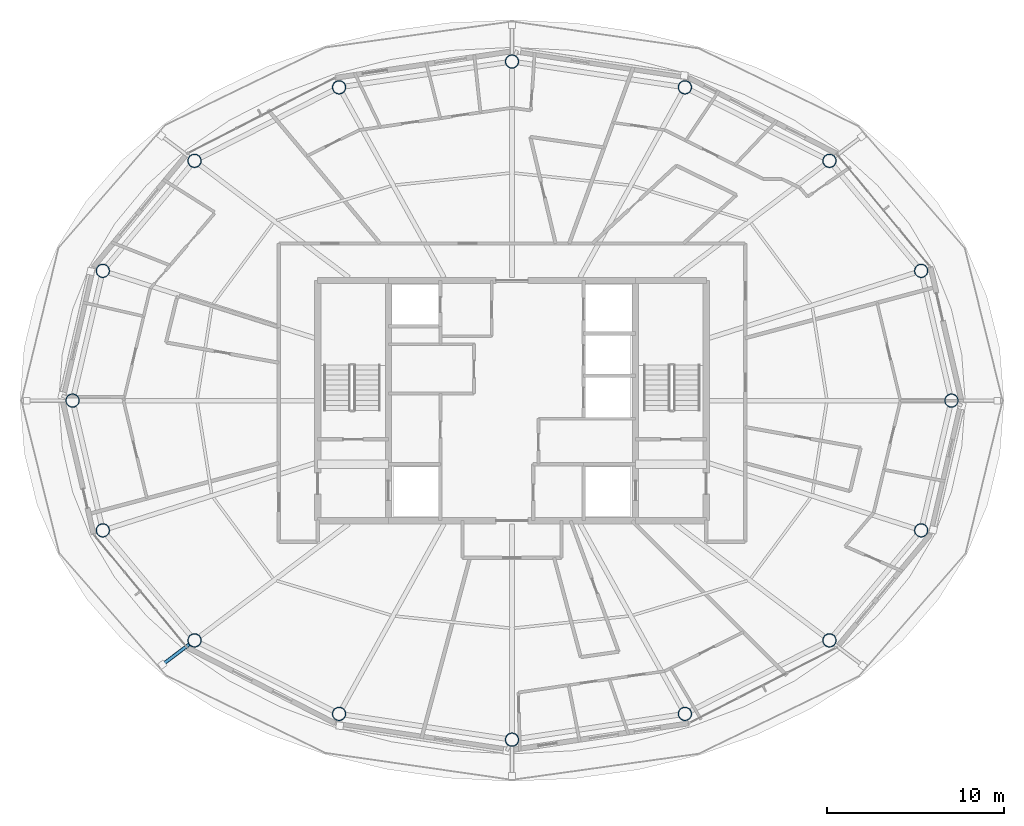
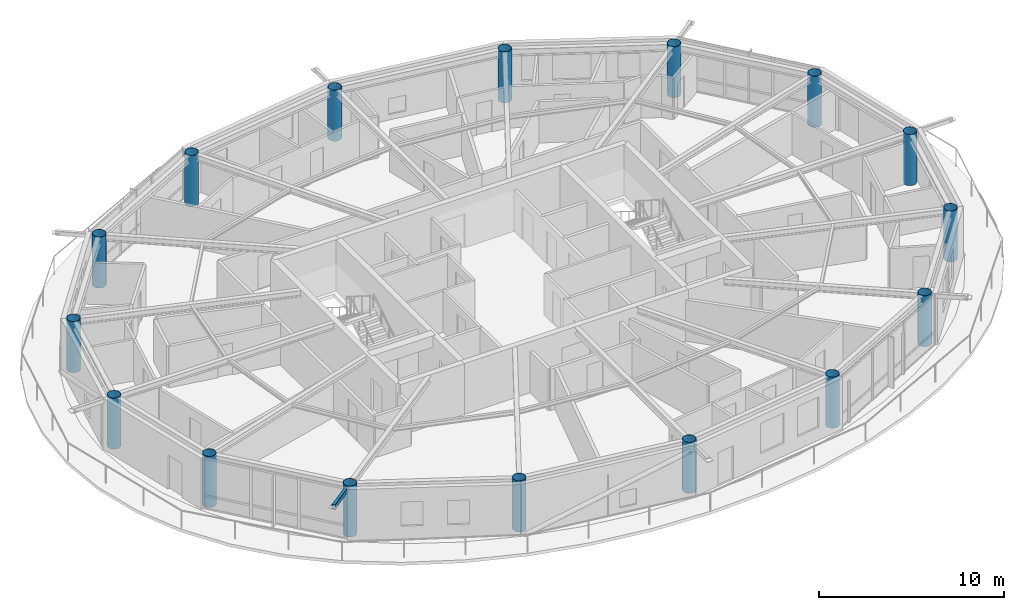
# One storey, part 1 of 23: 16 columns, 1 member.
"""IFC4 building model written with IfcOpenShell, lengths in metres."""

import ifcopenshell
import ifcopenshell.guid

model = None  # the IFC model being written
_history = None  # IfcOwnerHistory: only IFC2X3 demands one
_inside = {}  # id of a spatial element -> (the spatial element, [elements in it])
_under = {}  # id of a project, library or spatial element -> (it, [spatial elements below it])
_declared = {}  # id of a project -> (the project, [libraries it declares])
_typed = {}  # id of a type object -> (the type object, [elements of that type])
_made_of = {}  # id of a material, layer set ... -> (it, [elements and type objects made of it])


def new_model(schema):
    """Start an empty IFC model of exactly this schema.

    Asked for "IFC4X3", IfcOpenShell would pick the latest addendum, in which some entities
    have other attributes; the version numbers below select the first issue.
    IFC2X3 requires an IfcOwnerHistory on every rooted entity: one is made here for all.
    """
    global model, _history
    if schema == "IFC4X3":
        model = ifcopenshell.file(schema_version=(4, 3, 0, 0))
    else:
        model = ifcopenshell.file(schema=schema)
    _inside.clear()
    _under.clear()
    _declared.clear()
    _typed.clear()
    _made_of.clear()
    _history = None
    if model.schema == "IFC2X3":
        org = make("IfcOrganization", Name="unknown")
        user = make(
            "IfcPersonAndOrganization",
            ThePerson=make("IfcPerson", FamilyName="unknown"),
            TheOrganization=org,
        )
        app = make(
            "IfcApplication",
            ApplicationDeveloper=org,
            Version="unknown",
            ApplicationFullName="unknown",
            ApplicationIdentifier="unknown",
        )
        _history = make(
            "IfcOwnerHistory",
            OwningUser=user,
            OwningApplication=app,
            ChangeAction="ADDED",
            CreationDate=0,
        )
    return model


def make(cls, **values):
    """One entity of the class cls with the attributes given. An attribute that is None is left unset."""
    return model.create_entity(
        cls, **{name: value for name, value in values.items() if value is not None}
    )


def rooted(cls, **values):
    """An entity with a GlobalId (a new one), such as an element, a storey or a relation."""
    return make(cls, GlobalId=ifcopenshell.guid.new(), OwnerHistory=_history, **values)


def si_unit(unit_type, name, prefix=None):
    """IfcSIUnit, for example si_unit("LENGTHUNIT", "METRE", prefix="MILLI")."""
    return make("IfcSIUnit", UnitType=unit_type, Prefix=prefix, Name=name)


def assignment(units):
    """IfcUnitAssignment: the units of a project."""
    return None if units is None else make("IfcUnitAssignment", Units=units)


def point(xyz):
    """IfcCartesianPoint."""
    return None if xyz is None else make("IfcCartesianPoint", Coordinates=xyz)


def direction(xyz):
    """IfcDirection."""
    return None if xyz is None else make("IfcDirection", DirectionRatios=xyz)


def frame(location, z_axis=None, x_axis=None):
    """IfcAxis2Placement3D, a coordinate frame: its origin and axes. An axis left out is left unset."""
    return make(
        "IfcAxis2Placement3D",
        Location=point(location),
        Axis=direction(z_axis),
        RefDirection=direction(x_axis),
    )


def frame_2d(location, x_axis=None):
    """IfcAxis2Placement2D, a coordinate frame in the plane: its origin and x axis."""
    return make(
        "IfcAxis2Placement2D", Location=point(location), RefDirection=direction(x_axis)
    )


def origin():
    """The frame at (0, 0, 0) with its axes left unset."""
    return frame((0.0, 0.0, 0.0))


def origin_2d():
    """The frame at (0, 0) in the plane with its x axis left unset."""
    return frame_2d((0.0, 0.0))


def place(relative_to, where):
    """IfcLocalPlacement: puts the frame where relative to a parent placement (None: the world)."""
    return make(
        "IfcLocalPlacement", PlacementRelTo=relative_to, RelativePlacement=where
    )


def context(
    kind, dimensions, precision=None, world=None, true_north=None, identifier=None
):
    """IfcGeometricRepresentationContext, for example the 3D "Model" context."""
    return make(
        "IfcGeometricRepresentationContext",
        ContextIdentifier=identifier,
        ContextType=kind,
        CoordinateSpaceDimension=dimensions,
        Precision=precision,
        WorldCoordinateSystem=world,
        TrueNorth=true_north,
    )


def subcontext(parent, identifier, kind, view, scale=None):
    """IfcGeometricRepresentationSubContext, for example "Body" below "Model"."""
    return make(
        "IfcGeometricRepresentationSubContext",
        ContextIdentifier=identifier,
        ContextType=kind,
        ParentContext=parent,
        TargetScale=scale,
        TargetView=view,
    )


def project(units=None, contexts=None):
    """IfcProject with its units and contexts."""
    return rooted(
        "IfcProject",
        Name="project",
        RepresentationContexts=contexts,
        UnitsInContext=assignment(units),
    )


def spatial(cls, under=None, at=None, **own):
    """A site, building, storey or space (cls), placed at a placement, below another one or the project."""
    s = rooted(cls, ObjectPlacement=at, **own)
    if under is not None:
        _under.setdefault(under.id(), (under, []))[1].append(s)
    return s


def profile(cls, at=None, kind="AREA", **sizes):
    """A parametric profile (cls). Its sizes go by their IFC names, for example OverallWidth=200.0."""
    return make(cls, ProfileType=kind, Position=at, **sizes)


def hollow_rectangle(**sizes):
    """IfcRectangleHollowProfileDef."""
    return profile("IfcRectangleHollowProfileDef", **sizes)


def hollow_circle(**sizes):
    """IfcCircleHollowProfileDef."""
    return profile("IfcCircleHollowProfileDef", **sizes)


def extrude(swept, where, along, depth):
    """IfcExtrudedAreaSolid: the profile swept, set in the frame where, extruded along a direction by depth."""
    return make(
        "IfcExtrudedAreaSolid",
        SweptArea=swept,
        Position=where,
        ExtrudedDirection=direction(along),
        Depth=depth,
    )


def shape(context_of_items, identifier, shape_type, items):
    """IfcShapeRepresentation: the items that make up one representation, for example the "Body"."""
    return make(
        "IfcShapeRepresentation",
        ContextOfItems=context_of_items,
        RepresentationIdentifier=identifier,
        RepresentationType=shape_type,
        Items=items,
    )


def material(Name=None, Category=None):
    """IfcMaterial."""
    return make("IfcMaterial", Name=Name, Category=Category)


def material_profile(
    of_material, cross_section, Name=None, Category=None, Priority=None
):
    """IfcMaterialProfile: a cross section and its material."""
    return make(
        "IfcMaterialProfile",
        Name=Name,
        Material=of_material,
        Profile=cross_section,
        Priority=Priority,
        Category=Category,
    )


def profile_set(profiles, Name=None, composite=None):
    """IfcMaterialProfileSet."""
    return make(
        "IfcMaterialProfileSet",
        Name=Name,
        MaterialProfiles=profiles,
        CompositeProfile=composite,
    )


def made_of(thing, what):
    """Note that an element or type object is made of a material, layer set ...; save() writes the relation."""
    if what is not None:
        _made_of.setdefault(what.id(), (what, []))[1].append(thing)
    return thing


def type_object(cls, material=None, **own):
    """A type object (cls), such as IfcWallType, which elements share."""
    return made_of(rooted(cls, **own), material)


def element(
    cls,
    number,
    at=None,
    inside=None,
    cuts=None,
    type_object=None,
    material=None,
    context=None,
    identifier="Body",
    shape_type=None,
    held_by="IfcProductDefinitionShape",
    body=None,
    shapes=None,
    **own,
):
    """One element of the class cls, such as IfcWall. Its Tag is "e" and its number.

    at: its placement. inside: the storey or other place that contains it. cuts: it is an
    opening in that element (IfcRelVoidsElement). A single representation is given by context,
    identifier, shape_type and body (its items); several are given by shapes. held_by: the class
    of the entity that holds the representations. save() writes the other relations.
    """
    e = rooted(cls, Tag="e%d" % number, ObjectPlacement=at, **own)
    if body is not None:
        shapes = [shape(context, identifier, shape_type, body)]
    if shapes is not None:
        e.Representation = make(held_by, Representations=shapes)
    if inside is not None:
        _inside.setdefault(inside.id(), (inside, []))[1].append(e)
    if cuts is not None:
        rooted(
            "IfcRelVoidsElement", RelatingBuildingElement=cuts, RelatedOpeningElement=e
        )
    if type_object is not None:
        _typed.setdefault(type_object.id(), (type_object, []))[1].append(e)
    return made_of(e, material)


def aggregate(whole, parts):
    """IfcRelAggregates: a whole, such as a stair, and the parts it consists of."""
    return rooted("IfcRelAggregates", RelatingObject=whole, RelatedObjects=parts)


def save(model, path):
    """Write the relations noted so far, then the file.

    IfcRelAggregates (storeys below a building ...), IfcRelContainedInSpatialStructure (elements
    in a storey), IfcRelDefinesByType, IfcRelAssociatesMaterial and IfcRelDeclares: one each for
    every whole, place, type object, material and project.
    """
    for whole, parts in _under.values():
        aggregate(whole, parts)
    for where, things in _inside.values():
        rooted(
            "IfcRelContainedInSpatialStructure",
            RelatedElements=things,
            RelatingStructure=where,
        )
    for kind, things in _typed.values():
        rooted("IfcRelDefinesByType", RelatedObjects=things, RelatingType=kind)
    for what, things in _made_of.values():
        rooted("IfcRelAssociatesMaterial", RelatedObjects=things, RelatingMaterial=what)
    for by, libraries in _declared.values():
        rooted("IfcRelDeclares", RelatingContext=by, RelatedDefinitions=libraries)
    model.write(path)


model = new_model("IFC4")

# Units and contexts
model_context = context("Model", 3, precision=1e-05, world=origin(), true_north=direction((0.0, 1.0)))
body_context = subcontext(model_context, "Body", "Model", "MODEL_VIEW")
ifc_project = project(units=[si_unit("LENGTHUNIT", "METRE"), si_unit("AREAUNIT", "SQUARE_METRE"), si_unit("VOLUMEUNIT", "CUBIC_METRE"), si_unit("PLANEANGLEUNIT", "RADIAN"), si_unit("MASSUNIT", "GRAM", prefix="KILO")], contexts=[model_context])

# Site, building, storey
site_placement = place(None, origin())
site = spatial("IfcSite", under=ifc_project, at=site_placement, CompositionType="ELEMENT")
building_placement = place(site_placement, origin())
building = spatial("IfcBuilding", under=site, at=building_placement, Name="Sarneth Arch Tower", CompositionType="ELEMENT")
storey_placement = place(building_placement, frame((0.0, 0.0, 265.800048828125)))
storey = spatial("IfcBuildingStorey", under=building, at=storey_placement, Name="L68", CompositionType="ELEMENT", Elevation=265.800048828125)

# Columns
ifc_material_1 = material(Name="Steel S355", Category="steel")
ifc_material_profile_1 = material_profile(ifc_material_1, hollow_circle(Radius=0.381103515625, WallThickness=0.02490234375, at=origin_2d()), Name="CHS762x25")
ifc_profile_set_1 = profile_set([ifc_material_profile_1], Name="Steel S355")
column_type = type_object("IfcColumnType", Name="COL-MEGA-762", PredefinedType="COLUMN", material=ifc_profile_set_1)
for number, where, z_axis, x_axis, name in (
    (1, (72.88330078125, 42.0, 0.0), (0.0, 0.0, 1.0), (1.0, 0.0, 0.0), "L68 Perimeter mega-column M01"),
    (2, (71.1689453125, 49.347412109375, 0.0), (0.0, 0.0, 1.0), (1.0, 0.0, 0.0), "L68 Perimeter mega-column M02"),
    (3, (65.975341796875, 55.576416015625, 0.0), (0.0, 0.0, 1.0), (1.0, 0.0, 0.0), "L68 Perimeter mega-column M03"),
    (4, (57.790771484375, 59.738525390625, 0.0), (0.0, 0.0, 1.0), (1.0, 0.0, 0.0), "L68 Perimeter mega-column M04"),
    (5, (48.0, 61.199951171875, 0.0), (0.0, 0.0, 1.0), (1.0, 0.0, 0.0), "L68 Perimeter mega-column M05"),
    (6, (38.209228515625, 59.738525390625, 0.0), (0.0, 0.0, 1.0), (1.0, 0.0, 0.0), "L68 Perimeter mega-column M06"),
    (7, (30.024658203125, 55.576416015625, 0.0), (0.0, 0.0, 1.0), (1.0, 0.0, 0.0), "L68 Perimeter mega-column M07"),
    (8, (24.8310546875, 49.347412109375, 0.0), (0.0, 0.0, 1.0), (1.0, 0.0, 0.0), "L68 Perimeter mega-column M08"),
    (9, (23.11669921875, 42.0, 0.0), (0.0, 0.0, 1.0), (1.0, 0.0, 0.0), "L68 Perimeter mega-column M09"),
    (10, (24.8310546875, 34.652587890625, 0.0), (0.0, 0.0, 1.0), (1.0, 0.0, 0.0), "L68 Perimeter mega-column M10"),
    (11, (30.024658203125, 28.423583984375, 0.0), (0.0, 0.0, 1.0), (1.0, 0.0, 0.0), "L68 Perimeter mega-column M11"),
    (12, (38.209228515625, 24.261474609375, 0.0), (0.0, 0.0, 1.0), (1.0, 0.0, 0.0), "L68 Perimeter mega-column M12"),
    (13, (48.0, 22.800048828125, 0.0), (0.0, 0.0, 1.0), (1.0, 0.0, 0.0), "L68 Perimeter mega-column M13"),
    (14, (57.790771484375, 24.261474609375, 0.0), (0.0, 0.0, 1.0), (1.0, 0.0, 0.0), "L68 Perimeter mega-column M14"),
    (15, (65.975341796875, 28.423583984375, 0.0), (0.0, 0.0, 1.0), (1.0, 0.0, 0.0), "L68 Perimeter mega-column M15"),
    (16, (71.1689453125, 34.652587890625, 0.0), (0.0, 0.0, 1.0), (1.0, 0.0, 0.0), "L68 Perimeter mega-column M16"),
):
    element("IfcColumn", number, at=place(storey_placement, frame(where, z_axis=z_axis, x_axis=x_axis)), inside=storey, type_object=column_type, Name=name, PredefinedType="COLUMN", context=body_context, shape_type="SweptSolid", body=[
        extrude(hollow_circle(Radius=0.381103515625, WallThickness=0.02490234375, at=origin_2d()), origin(), (0.0, 0.0, 1.0), 3.369873046875),
    ])

# Member
ifc_material_2 = material(Name="Steel S355", Category="steel")
ifc_material_profile_2 = material_profile(ifc_material_2, hollow_rectangle(XDim=0.199951171875, YDim=0.300048828125, WallThickness=0.012451171875, InnerFilletRadius=0.018798828125, OuterFilletRadius=0.03125, at=origin_2d()), Name="RHS300x200x12.5")
ifc_profile_set_2 = profile_set([ifc_material_profile_2], Name="Steel S355")
member_type = type_object("IfcMemberType", Name="MEM-CANT-STRUT", PredefinedType="STRUT", material=ifc_profile_set_2)
member_placement = place(storey_placement, frame((29.720703125, 28.19384765625, 3.2099609375), z_axis=(-0.79801244926, -0.602640963448, 0.0), x_axis=(0.602640963448, -0.79801244926, 0.0)))
element("IfcMember", 17, at=member_placement, inside=storey, type_object=member_type, Name="L68 Balcony cantilever bracket 11", PredefinedType="STRUT", context=body_context, shape_type="SweptSolid", body=[
    extrude(hollow_rectangle(XDim=0.199951171875, YDim=0.300048828125, WallThickness=0.012451171875, InnerFilletRadius=0.018798828125, OuterFilletRadius=0.03125, at=origin_2d()), origin(), (0.0, 0.0, 1.0), 1.90576171875),
])

save(model, "model.ifc")
